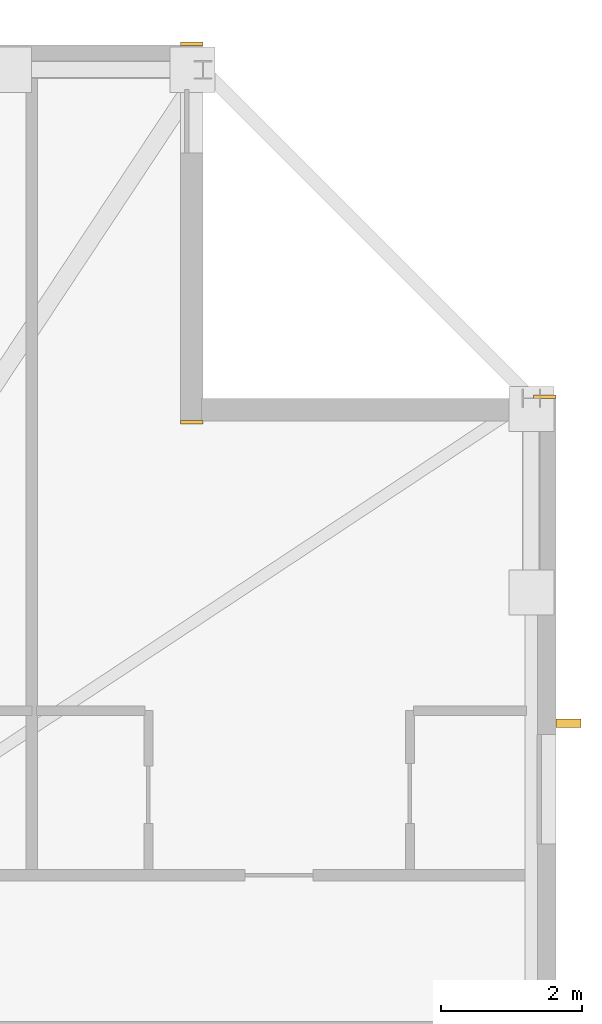
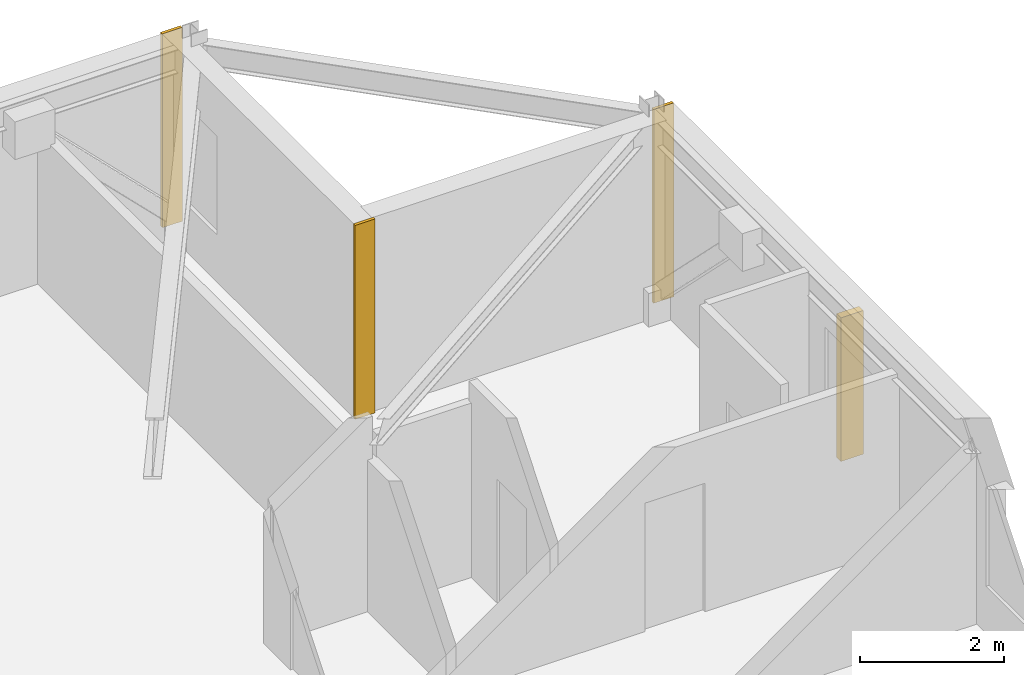
# One storey, part 17 of 17: 3 coverings, 1 shading device.
"""IFC4 building model written with IfcOpenShell, lengths in metres."""

from ifc_helpers import new_model, si_unit, direction, frame, frame_2d, origin, origin_2d, place, context, subcontext, project, spatial, rectangle, extrude, material, layer, layer_set, type_object, element, save


model = new_model("IFC4")

# Units and contexts
model_context = context("Model", 3, precision=1e-05, world=origin(), true_north=direction((0.0, 1.0)))
body_context = subcontext(model_context, "Body", "Model", "MODEL_VIEW")
ifc_project = project(units=[si_unit("LENGTHUNIT", "METRE"), si_unit("AREAUNIT", "SQUARE_METRE"), si_unit("VOLUMEUNIT", "CUBIC_METRE"), si_unit("PLANEANGLEUNIT", "RADIAN"), si_unit("MASSUNIT", "GRAM", prefix="KILO")], contexts=[model_context])

# Site, building, storey
site_placement = place(None, origin())
site = spatial("IfcSite", under=ifc_project, at=site_placement, CompositionType="ELEMENT")
building_placement = place(site_placement, origin())
building = spatial("IfcBuilding", under=site, at=building_placement, Name="Cairnveth Concourse Tower", CompositionType="ELEMENT")
storey_placement = place(building_placement, frame((0.0, 0.0, 248.0)))
storey = spatial("IfcBuildingStorey", under=building, at=storey_placement, Name="L68", CompositionType="ELEMENT", Elevation=248.0)

# Coverings
ifc_material_1 = material(Name="Dressed Melbourne Bluestone Cladding", Category="masonry")
ifc_layer = layer(ifc_material_1, 0.050048828125)
ifc_layer_set = layer_set([ifc_layer], Name="Dressed Melbourne Bluestone Cladding")
covering_type = type_object("IfcCoveringType", Name="DRESSED BLUESTONE PLINTH CLADDING 50", PredefinedType="CLADDING", material=ifc_layer_set)
for number, where, z_axis, x_axis, name in (
    (1, (69.179931640625, 61.52001953125, 0.0), (0.0, 0.0, 1.0), (1.0, 0.0, 0.0), "Melbourne Bluestone Corner Quoin L68-1027"),
    (2, (69.179931640625, 56.159912109375, 0.0), (0.0, 0.0, 1.0), (1.0, 0.0, 0.0), "Melbourne Bluestone Corner Quoin L68-1028"),
    (3, (74.179931640625, 56.52001953125, 0.0), (0.0, 0.0, 1.0), (1.0, 0.0, 0.0), "Melbourne Bluestone Corner Quoin L68-1029"),
):
    element("IfcCovering", number, at=place(storey_placement, frame(where, z_axis=z_axis, x_axis=x_axis)), inside=storey, type_object=covering_type, Name=name, PredefinedType="CLADDING", context=body_context, shape_type="SweptSolid", body=[
        extrude(rectangle(XDim=0.320068359375, YDim=0.050048828125, at=frame_2d((0.16015625, 0.0))), origin(), (0.0, 0.0, 1.0), 3.2900390625),
    ])

# Shading device
ifc_material_2 = material(Name="Architectural Bronze Anodised Aluminium 6063-T6", Category="aluminium")
shading_device_type = type_object("IfcShadingDeviceType", Name="GOTHIC BRONZE VERTICAL LANCET FIN", PredefinedType="USERDEFINED", material=ifc_material_2)
shading_device_placement = place(storey_placement, frame((74.675048828125, 51.8974609375, 0.030029296875), z_axis=(0.0, 0.0, 1.0), x_axis=(0.0, 1.0, 0.0)))
element("IfcShadingDevice", 4, at=shading_device_placement, inside=storey, type_object=shading_device_type, Name="Gothic Bronze Vertical Fin L68-6-1", ObjectType="VERTICAL FIN", PredefinedType="USERDEFINED", context=body_context, shape_type="SweptSolid", body=[
    extrude(rectangle(XDim=0.1201171875, YDim=0.360107421875, at=origin_2d()), origin(), (0.0, 0.0, 1.0), 2.43798828125),
])

save(model, "model.ifc")
